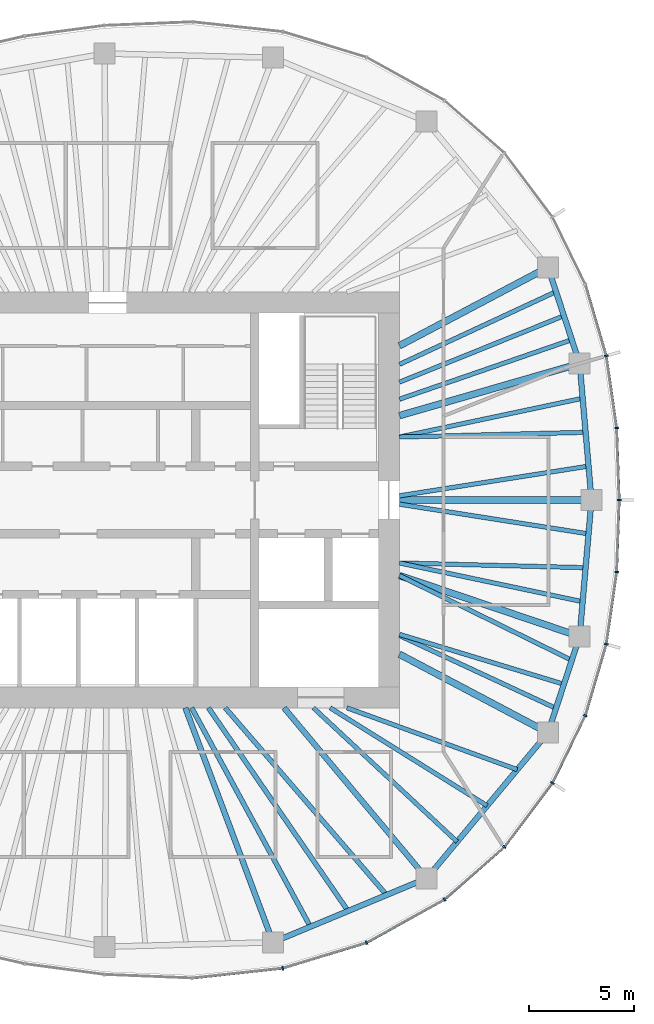
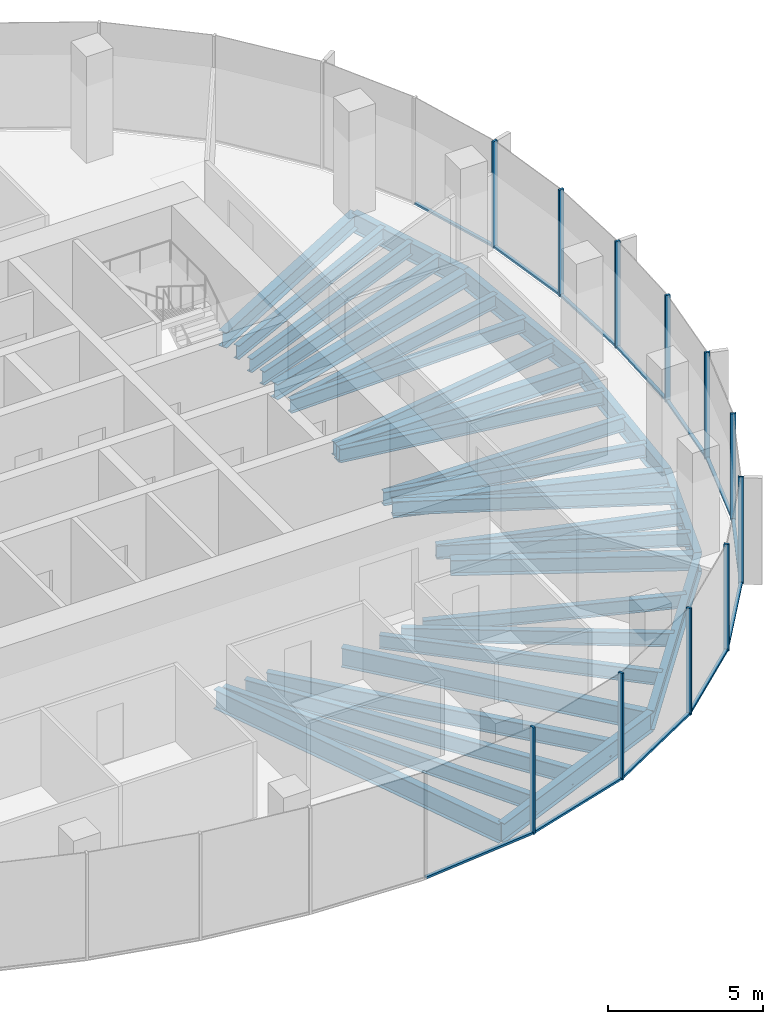
# One storey, part 4 of 11: 31 beams, 23 members, 7 elements without a shape of their own.
"""IFC4 building model written with IfcOpenShell, lengths in metres."""

from ifc_helpers import new_model, si_unit, direction, frame, origin, origin_2d, place, context, subcontext, project, spatial, rectangle, i_section, extrude, material, material_profile, profile_set, type_object, element, aggregate, save


model = new_model("IFC4")

# Units and contexts
model_context = context("Model", 3, precision=1e-05, world=origin(), true_north=direction((0.0, 1.0)))
body_context = subcontext(model_context, "Body", "Model", "MODEL_VIEW")
ifc_project = project(units=[si_unit("LENGTHUNIT", "METRE"), si_unit("AREAUNIT", "SQUARE_METRE"), si_unit("VOLUMEUNIT", "CUBIC_METRE"), si_unit("PLANEANGLEUNIT", "RADIAN"), si_unit("MASSUNIT", "GRAM", prefix="KILO")], contexts=[model_context])

# Site, building, storey
site_placement = place(None, origin())
site = spatial("IfcSite", under=ifc_project, at=site_placement, CompositionType="ELEMENT")
building_placement = place(site_placement, origin())
building = spatial("IfcBuilding", under=site, at=building_placement, Name="Ghaith Harvest Tower", CompositionType="ELEMENT")
storey_placement = place(building_placement, frame((0.0, 0.0, 330.0)))
storey = spatial("IfcBuildingStorey", under=building, at=storey_placement, Name="L74", CompositionType="ELEMENT", Elevation=330.0)

# Curtain wall, members
ifc_material_1 = material(Name="Black anodised aluminium and fritted glass", Category="aluminium")
curtain_wall_type = type_object("IfcCurtainWallType", Name="CW-T CURTAIN WALL", PredefinedType="NOTDEFINED", material=ifc_material_1)
curtain_wall_1_placement = place(storey_placement, origin())
curtain_wall_1 = element("IfcCurtainWall", 1, at=curtain_wall_1_placement, inside=storey, type_object=curtain_wall_type, Name="Curtain wall CW-T bay 01 L74", PredefinedType="NOTDEFINED")
ifc_material_2 = material(Name="Aluminium, black anodised", Category="aluminium")
ifc_material_profile_1 = material_profile(ifc_material_2, rectangle(XDim=0.080078125, YDim=0.179931640625, at=origin_2d()), Name="CW-T MULLION 80x180")
ifc_profile_set_1 = profile_set([ifc_material_profile_1], Name="Aluminium, black anodised")
member_type_1 = type_object("IfcMemberType", Name="CW-T MULLION 80x180", PredefinedType="MULLION", material=ifc_profile_set_1)
member_1_placement = place(storey_placement, frame((24.3701171875, 0.0, 0.0), z_axis=(0.0, 0.0, 1.0), x_axis=(5.2e-11, 1.0, 0.0)))
member_1 = element("IfcMember", 2, at=member_1_placement, type_object=member_type_1, Name="CW-T mullion 1 bay 01 L74", PredefinedType="MULLION", context=body_context, shape_type="SweptSolid", body=[
    extrude(rectangle(XDim=0.080078125, YDim=0.179931640625, at=origin_2d()), origin(), (0.0, 0.0, 1.0), 4.199951171875),
])
member_2_placement = place(storey_placement, frame((24.247802734375, 3.433837890625, 0.0), z_axis=(0.0, 0.0, 1.0), x_axis=(-0.089502202236, 0.995986624305, 0.0)))
member_2 = element("IfcMember", 3, at=member_2_placement, type_object=member_type_1, Name="CW-T mullion 2 bay 01 L74", PredefinedType="MULLION", context=body_context, shape_type="SweptSolid", body=[
    extrude(rectangle(XDim=0.080078125, YDim=0.179931640625, at=origin_2d()), origin(), (0.0, 0.0, 1.0), 4.199951171875),
])

# Curtain wall, member
curtain_wall_2_placement = place(storey_placement, origin())
curtain_wall_2 = element("IfcCurtainWall", 4, at=curtain_wall_2_placement, inside=storey, type_object=curtain_wall_type, Name="Curtain wall CW-T bay 02 L74", PredefinedType="NOTDEFINED")
member_3_placement = place(storey_placement, frame((23.753173828125, 6.865234375, 0.0), z_axis=(0.0, 0.0, 1.0), x_axis=(-0.21340203233, 0.976964468442, 0.0)))
member_3 = element("IfcMember", 5, at=member_3_placement, type_object=member_type_1, Name="CW-T mullion 1 bay 02 L74", PredefinedType="MULLION", context=body_context, shape_type="SweptSolid", body=[
    extrude(rectangle(XDim=0.080078125, YDim=0.179931640625, at=origin_2d()), origin(), (0.0, 0.0, 1.0), 4.199951171875),
])

# Curtain wall, members
curtain_wall_3_placement = place(storey_placement, origin())
curtain_wall_3 = element("IfcCurtainWall", 6, at=curtain_wall_3_placement, inside=storey, type_object=curtain_wall_type, Name="Curtain wall CW-T bay 17 L74", PredefinedType="NOTDEFINED")
member_4_placement = place(storey_placement, frame((8.33984375, -22.308837890625, 0.0), z_axis=(0.0, 0.0, 1.0), x_axis=(0.980000193265, 0.198996535647, 0.0)))
member_4 = element("IfcMember", 7, at=member_4_placement, type_object=member_type_1, Name="CW-T mullion 1 bay 17 L74", PredefinedType="MULLION", context=body_context, shape_type="SweptSolid", body=[
    extrude(rectangle(XDim=0.080078125, YDim=0.179931640625, at=origin_2d()), origin(), (0.0, 0.0, 1.0), 4.199951171875),
])
member_5_placement = place(storey_placement, frame((12.334228515625, -21.091796875, 0.0), z_axis=(0.0, 0.0, 1.0), x_axis=(0.920319269335, 0.391168048914, 0.0)))
member_5 = element("IfcMember", 8, at=member_5_placement, type_object=member_type_1, Name="CW-T mullion 2 bay 17 L74", PredefinedType="MULLION", context=body_context, shape_type="SweptSolid", body=[
    extrude(rectangle(XDim=0.080078125, YDim=0.179931640625, at=origin_2d()), origin(), (0.0, 0.0, 1.0), 4.199951171875),
])

curtain_wall_4_placement = place(storey_placement, origin())
curtain_wall_4 = element("IfcCurtainWall", 9, at=curtain_wall_4_placement, inside=storey, type_object=curtain_wall_type, Name="Curtain wall CW-T bay 18 L74", PredefinedType="NOTDEFINED")
member_6_placement = place(storey_placement, frame((16.04931640625, -19.031982421875, 0.0), z_axis=(0.0, 0.0, 1.0), x_axis=(0.821112053644, 0.570767023715, 0.0)))
member_6 = element("IfcMember", 10, at=member_6_placement, type_object=member_type_1, Name="CW-T mullion 1 bay 18 L74", PredefinedType="MULLION", context=body_context, shape_type="SweptSolid", body=[
    extrude(rectangle(XDim=0.080078125, YDim=0.179931640625, at=origin_2d()), origin(), (0.0, 0.0, 1.0), 4.199951171875),
])
member_7_placement = place(storey_placement, frame((18.901123046875, -16.527099609375, 0.0), z_axis=(0.0, 0.0, 1.0), x_axis=(0.679660897254, 0.733526458108, 0.0)))
member_7 = element("IfcMember", 11, at=member_7_placement, type_object=member_type_1, Name="CW-T mullion 2 bay 18 L74", PredefinedType="MULLION", context=body_context, shape_type="SweptSolid", body=[
    extrude(rectangle(XDim=0.080078125, YDim=0.179931640625, at=origin_2d()), origin(), (0.0, 0.0, 1.0), 4.199951171875),
])

curtain_wall_5_placement = place(storey_placement, origin())
curtain_wall_5 = element("IfcCurtainWall", 12, at=curtain_wall_5_placement, inside=storey, type_object=curtain_wall_type, Name="Curtain wall CW-T bay 19 L74", PredefinedType="NOTDEFINED")
member_8_placement = place(storey_placement, frame((21.18896484375, -13.48486328125, 0.0), z_axis=(0.0, 0.0, 1.0), x_axis=(0.524482238715, 0.85142138878, 0.0)))
member_8 = element("IfcMember", 13, at=member_8_placement, type_object=member_type_1, Name="CW-T mullion 1 bay 19 L74", PredefinedType="MULLION", context=body_context, shape_type="SweptSolid", body=[
    extrude(rectangle(XDim=0.080078125, YDim=0.179931640625, at=origin_2d()), origin(), (0.0, 0.0, 1.0), 4.199951171875),
])
member_9_placement = place(storey_placement, frame((22.754150390625, -10.272216796875, 0.0), z_axis=(0.0, 0.0, 1.0), x_axis=(0.361184273904, 0.932494461262, 0.0)))
member_9 = element("IfcMember", 14, at=member_9_placement, type_object=member_type_1, Name="CW-T mullion 2 bay 19 L74", PredefinedType="MULLION", context=body_context, shape_type="SweptSolid", body=[
    extrude(rectangle(XDim=0.080078125, YDim=0.179931640625, at=origin_2d()), origin(), (0.0, 0.0, 1.0), 4.199951171875),
])

curtain_wall_6_placement = place(storey_placement, origin())
curtain_wall_6 = element("IfcCurtainWall", 15, at=curtain_wall_6_placement, inside=storey, type_object=curtain_wall_type, Name="Curtain wall CW-T bay 20 L74", PredefinedType="NOTDEFINED")
member_10_placement = place(storey_placement, frame((23.753173828125, -6.865234375, 0.0), z_axis=(0.0, 0.0, 1.0), x_axis=(0.213402032501, 0.976964468404, 0.0)))
member_10 = element("IfcMember", 16, at=member_10_placement, type_object=member_type_1, Name="CW-T mullion 1 bay 20 L74", PredefinedType="MULLION", context=body_context, shape_type="SweptSolid", body=[
    extrude(rectangle(XDim=0.080078125, YDim=0.179931640625, at=origin_2d()), origin(), (0.0, 0.0, 1.0), 4.199951171875),
])
member_11_placement = place(storey_placement, frame((24.247802734375, -3.433837890625, 0.0), z_axis=(0.0, 0.0, 1.0), x_axis=(0.089502202305, 0.995986624299, 0.0)))
member_11 = element("IfcMember", 17, at=member_11_placement, type_object=member_type_1, Name="CW-T mullion 2 bay 20 L74", PredefinedType="MULLION", context=body_context, shape_type="SweptSolid", body=[
    extrude(rectangle(XDim=0.080078125, YDim=0.179931640625, at=origin_2d()), origin(), (0.0, 0.0, 1.0), 4.199951171875),
])

# Member
ifc_material_3 = material(Name="Aluminium, black anodised", Category="aluminium")
ifc_material_profile_2 = material_profile(ifc_material_3, rectangle(XDim=0.1201171875, YDim=0.080078125, at=origin_2d()), Name="CW-T TRANSOM 120x80")
ifc_profile_set_2 = profile_set([ifc_material_profile_2], Name="Aluminium, black anodised")
member_type_2 = type_object("IfcMemberType", Name="CW-T TRANSOM 120x80", PredefinedType="USERDEFINED", material=ifc_profile_set_2)
member_12_placement = place(storey_placement, frame((24.36865234375, 0.0400390625, 0.0400390625), z_axis=(-0.035574759537, 0.999367017909, 0.0), x_axis=(-0.999367017909, -0.035574759537, 0.0)))
member_12 = element("IfcMember", 18, at=member_12_placement, type_object=member_type_2, Name="CW-T transom 1 bay 01 L74", ObjectType="TRANSOM", PredefinedType="USERDEFINED", context=body_context, shape_type="SweptSolid", body=[
    extrude(rectangle(XDim=0.1201171875, YDim=0.080078125, at=origin_2d()), origin(), (0.0, 0.0, 1.0), 3.35595703125),
])

member_13_placement = place(storey_placement, frame((24.2421875, 3.473388671875, 0.0400390625), z_axis=(-0.142733224301, 0.989761196795, 0.0), x_axis=(-0.989761196795, -0.142733224301, 0.0)))
member_13 = element("IfcMember", 19, at=member_13_placement, type_object=member_type_2, Name="CW-T transom 2 bay 01 L74", ObjectType="TRANSOM", PredefinedType="USERDEFINED", context=body_context, shape_type="SweptSolid", body=[
    extrude(rectangle(XDim=0.1201171875, YDim=0.080078125, at=origin_2d()), origin(), (0.0, 0.0, 1.0), 3.38671875),
])

aggregate(curtain_wall_1, [member_1, member_12, member_2, member_13])

member_14_placement = place(storey_placement, frame((23.741943359375, 6.903564453125, 0.0400390625), z_axis=(-0.281385475469, 0.95959481772, 0.0), x_axis=(-0.95959481772, -0.281385475469, 0.0)))
member_14 = element("IfcMember", 20, at=member_14_placement, type_object=member_type_2, Name="CW-T transom 1 bay 02 L74", ObjectType="TRANSOM", PredefinedType="USERDEFINED", context=body_context, shape_type="SweptSolid", body=[
    extrude(rectangle(XDim=0.1201171875, YDim=0.080078125, at=origin_2d()), origin(), (0.0, 0.0, 1.0), 3.470458984375),
])

aggregate(curtain_wall_2, [member_3, member_14])

# Curtain wall, member
curtain_wall_7_placement = place(storey_placement, origin())
curtain_wall_7 = element("IfcCurtainWall", 21, at=curtain_wall_7_placement, inside=storey, type_object=curtain_wall_type, Name="Curtain wall CW-T bay 16 L74", PredefinedType="NOTDEFINED")
member_15_placement = place(storey_placement, frame((4.077392578125, -22.772216796875, 0.0400390625), z_axis=(0.994144463069, 0.108059180768, 0.0), x_axis=(-0.108059180768, 0.994144463069, 0.0)))
member_15 = element("IfcMember", 22, at=member_15_placement, type_object=member_type_2, Name="CW-T transom 2 bay 16 L74", ObjectType="TRANSOM", PredefinedType="USERDEFINED", context=body_context, shape_type="SweptSolid", body=[
    extrude(rectangle(XDim=0.1201171875, YDim=0.080078125, at=origin_2d()), origin(), (0.0, 0.0, 1.0), 4.24755859375),
])
aggregate(curtain_wall_7, [member_15])

# Member
member_16_placement = place(storey_placement, frame((8.378173828125, -22.297119140625, 0.0400390625), z_axis=(0.956593713342, 0.291424891858, 0.0), x_axis=(-0.291424891858, 0.956593713342, 0.0)))
member_16 = element("IfcMember", 23, at=member_16_placement, type_object=member_type_2, Name="CW-T transom 1 bay 17 L74", ObjectType="TRANSOM", PredefinedType="USERDEFINED", context=body_context, shape_type="SweptSolid", body=[
    extrude(rectangle(XDim=0.1201171875, YDim=0.080078125, at=origin_2d()), origin(), (0.0, 0.0, 1.0), 4.095703125),
])

member_17_placement = place(storey_placement, frame((12.369384765625, -21.072509765625, 0.0400390625), z_axis=(0.874552130553, 0.484931511603, 0.0), x_axis=(-0.484931511603, 0.874552130553, 0.0)))
member_17 = element("IfcMember", 24, at=member_17_placement, type_object=member_type_2, Name="CW-T transom 2 bay 17 L74", ObjectType="TRANSOM", PredefinedType="USERDEFINED", context=body_context, shape_type="SweptSolid", body=[
    extrude(rectangle(XDim=0.1201171875, YDim=0.080078125, at=origin_2d()), origin(), (0.0, 0.0, 1.0), 4.16748046875),
])

aggregate(curtain_wall_3, [member_4, member_16, member_5, member_17])

member_18_placement = place(storey_placement, frame((16.079345703125, -19.005615234375, 0.0400390625), z_axis=(0.751325799984, 0.659931467865, 0.0), x_axis=(-0.659931467865, 0.751325799984, 0.0)))
member_18 = element("IfcMember", 25, at=member_18_placement, type_object=member_type_2, Name="CW-T transom 1 bay 18 L74", ObjectType="TRANSOM", PredefinedType="USERDEFINED", context=body_context, shape_type="SweptSolid", body=[
    extrude(rectangle(XDim=0.1201171875, YDim=0.080078125, at=origin_2d()), origin(), (0.0, 0.0, 1.0), 3.7158203125),
])

member_19_placement = place(storey_placement, frame((18.925048828125, -16.4951171875, 0.0400390625), z_axis=(0.601079103045, 0.799189534392, 0.0), x_axis=(-0.799189534392, 0.601079103045, 0.0)))
member_19 = element("IfcMember", 26, at=member_19_placement, type_object=member_type_2, Name="CW-T transom 2 bay 18 L74", ObjectType="TRANSOM", PredefinedType="USERDEFINED", context=body_context, shape_type="SweptSolid", body=[
    extrude(rectangle(XDim=0.1201171875, YDim=0.080078125, at=origin_2d()), origin(), (0.0, 0.0, 1.0), 3.7265625),
])

aggregate(curtain_wall_4, [member_6, member_18, member_7, member_19])

member_20_placement = place(storey_placement, frame((21.20654296875, -13.448974609375, 0.0400390625), z_axis=(0.437965078712, 0.898991985408, 0.0), x_axis=(-0.898991985408, 0.437965078712, 0.0)))
member_20 = element("IfcMember", 27, at=member_20_placement, type_object=member_type_2, Name="CW-T transom 1 bay 19 L74", ObjectType="TRANSOM", PredefinedType="USERDEFINED", context=body_context, shape_type="SweptSolid", body=[
    extrude(rectangle(XDim=0.1201171875, YDim=0.080078125, at=origin_2d()), origin(), (0.0, 0.0, 1.0), 3.493408203125),
])

member_21_placement = place(storey_placement, frame((22.765380859375, -10.23388671875, 0.0400390625), z_axis=(0.281385475469, 0.95959481772, 0.0), x_axis=(-0.95959481772, 0.281385475469, 0.0)))
member_21 = element("IfcMember", 28, at=member_21_placement, type_object=member_type_2, Name="CW-T transom 2 bay 19 L74", ObjectType="TRANSOM", PredefinedType="USERDEFINED", context=body_context, shape_type="SweptSolid", body=[
    extrude(rectangle(XDim=0.1201171875, YDim=0.080078125, at=origin_2d()), origin(), (0.0, 0.0, 1.0), 3.470458984375),
])

aggregate(curtain_wall_5, [member_8, member_20, member_9, member_21])

member_22_placement = place(storey_placement, frame((23.7587890625, -6.825439453125, 0.0400390625), z_axis=(0.142733224301, 0.989761196795, 0.0), x_axis=(-0.989761196795, 0.142733224301, 0.0)))
member_22 = element("IfcMember", 29, at=member_22_placement, type_object=member_type_2, Name="CW-T transom 1 bay 20 L74", ObjectType="TRANSOM", PredefinedType="USERDEFINED", context=body_context, shape_type="SweptSolid", body=[
    extrude(rectangle(XDim=0.1201171875, YDim=0.080078125, at=origin_2d()), origin(), (0.0, 0.0, 1.0), 3.38671875),
])

member_23_placement = place(storey_placement, frame((24.249267578125, -3.393798828125, 0.0400390625), z_axis=(0.035574759537, 0.999367017909, 0.0), x_axis=(-0.999367017909, 0.035574759537, 0.0)))
member_23 = element("IfcMember", 30, at=member_23_placement, type_object=member_type_2, Name="CW-T transom 2 bay 20 L74", ObjectType="TRANSOM", PredefinedType="USERDEFINED", context=body_context, shape_type="SweptSolid", body=[
    extrude(rectangle(XDim=0.1201171875, YDim=0.080078125, at=origin_2d()), origin(), (0.0, 0.0, 1.0), 3.35595703125),
])

aggregate(curtain_wall_6, [member_10, member_22, member_11, member_23])

# Beams
ifc_material_4 = material(Name="Steel ASTM A992 Grade 50", Category="steel")
ifc_material_profile_3 = material_profile(ifc_material_4, i_section(OverallWidth=0.26611328125, OverallDepth=0.758056640625, WebThickness=0.013916015625, FlangeThickness=0.019287109375, at=origin_2d()), Name="W760X161")
ifc_profile_set_3 = profile_set([ifc_material_profile_3], Name="Steel ASTM A992 Grade 50")
beam_type_1 = type_object("IfcBeamType", Name="E760-161 W760X161", PredefinedType="SPANDREL", material=ifc_profile_set_3)
beam_1_placement = place(storey_placement, frame((23.050048828125, 0.0, -0.549072265625), z_axis=(-0.086600547306, 0.996243115513, 0.0), x_axis=(-0.996243115513, -0.086600547306, 0.0)))
element("IfcBeam", 31, at=beam_1_placement, inside=storey, type_object=beam_type_1, Name="Edge beam E01 L74", PredefinedType="SPANDREL", context=body_context, shape_type="SweptSolid", body=[
    extrude(i_section(OverallWidth=0.26611328125, OverallDepth=0.758056640625, WebThickness=0.013916015625, FlangeThickness=0.019287109375, at=origin_2d()), origin(), (0.0, 0.0, 1.0), 6.5234375),
])
beam_2_placement = place(storey_placement, frame((22.485107421875, 6.4990234375, -0.549072265625), z_axis=(-0.312206727278, 0.950014189074, 0.0), x_axis=(-0.950014189074, -0.312206727278, 0.0)))
element("IfcBeam", 32, at=beam_2_placement, inside=storey, type_object=beam_type_1, Name="Edge beam E02 L74", PredefinedType="SPANDREL", context=body_context, shape_type="SweptSolid", body=[
    extrude(i_section(OverallWidth=0.26611328125, OverallDepth=0.758056640625, WebThickness=0.013916015625, FlangeThickness=0.019287109375, at=origin_2d()), origin(), (0.0, 0.0, 1.0), 4.830322265625),
])
beam_3_placement = place(storey_placement, frame((7.8779296875, -21.072021484375, -0.549072265625), z_axis=(0.923119729219, 0.384512633766, 0.0), x_axis=(-0.384512633766, 0.923119729219, 0.0)))
element("IfcBeam", 33, at=beam_3_placement, inside=storey, type_object=beam_type_1, Name="Edge beam E17 L74", PredefinedType="SPANDREL", context=body_context, shape_type="SweptSolid", body=[
    extrude(i_section(OverallWidth=0.26611328125, OverallDepth=0.758056640625, WebThickness=0.013916015625, FlangeThickness=0.019287109375, at=origin_2d()), origin(), (0.0, 0.0, 1.0), 7.9296875),
])
beam_4_placement = place(storey_placement, frame((15.197998046875, -18.02294921875, -0.549072265625), z_axis=(0.640173759088, 0.76823014662, 0.0), x_axis=(-0.76823014662, 0.640173759088, 0.0)))
element("IfcBeam", 34, at=beam_4_placement, inside=storey, type_object=beam_type_1, Name="Edge beam E18 L74", PredefinedType="SPANDREL", context=body_context, shape_type="SweptSolid", body=[
    extrude(i_section(OverallWidth=0.26611328125, OverallDepth=0.758056640625, WebThickness=0.013916015625, FlangeThickness=0.019287109375, at=origin_2d()), origin(), (0.0, 0.0, 1.0), 9.02734375),
])
beam_5_placement = place(storey_placement, frame((20.97705078125, -11.087890625, -0.549072265625), z_axis=(0.312206727278, 0.950014189074, 0.0), x_axis=(-0.950014189074, 0.312206727278, 0.0)))
element("IfcBeam", 35, at=beam_5_placement, inside=storey, type_object=beam_type_1, Name="Edge beam E19 L74", PredefinedType="SPANDREL", context=body_context, shape_type="SweptSolid", body=[
    extrude(i_section(OverallWidth=0.26611328125, OverallDepth=0.758056640625, WebThickness=0.013916015625, FlangeThickness=0.019287109375, at=origin_2d()), origin(), (0.0, 0.0, 1.0), 4.830322265625),
])
beam_6_placement = place(storey_placement, frame((22.485107421875, -6.4990234375, -0.549072265625), z_axis=(0.086600547306, 0.996243115513, 0.0), x_axis=(-0.996243115513, 0.086600547306, 0.0)))
element("IfcBeam", 36, at=beam_6_placement, inside=storey, type_object=beam_type_1, Name="Edge beam E20 L74", PredefinedType="SPANDREL", context=body_context, shape_type="SweptSolid", body=[
    extrude(i_section(OverallWidth=0.26611328125, OverallDepth=0.758056640625, WebThickness=0.013916015625, FlangeThickness=0.019287109375, at=origin_2d()), origin(), (0.0, 0.0, 1.0), 6.5234375),
])
ifc_material_5 = material(Name="Steel ASTM A992 Grade 50", Category="steel")
ifc_material_profile_4 = material_profile(ifc_material_5, i_section(OverallWidth=0.323974609375, OverallDepth=0.611083984375, WebThickness=0.0126953125, FlangeThickness=0.01904296875, at=origin_2d()), Name="W610X155")
ifc_profile_set_4 = profile_set([ifc_material_profile_4], Name="Steel ASTM A992 Grade 50")
beam_type_2 = type_object("IfcBeamType", Name="G610-155 W610X155", PredefinedType="BEAM", material=ifc_profile_set_4)
beam_7_placement = place(storey_placement, frame((13.89990234375, 0.0, -0.4755859375), z_axis=(1.0, 0.0, 0.0), x_axis=(0.0, 1.0, 0.0)))
element("IfcBeam", 37, at=beam_7_placement, inside=storey, type_object=beam_type_2, Name="Radial girder G01 L74", PredefinedType="BEAM", context=body_context, shape_type="SweptSolid", body=[
    extrude(i_section(OverallWidth=0.323974609375, OverallDepth=0.611083984375, WebThickness=0.0126953125, FlangeThickness=0.01904296875, at=origin_2d()), origin(), (0.0, 0.0, 1.0), 9.150146484375),
])
beam_8_placement = place(storey_placement, frame((13.89990234375, 4.017333984375, -0.4755859375), z_axis=(0.960668846071, 0.27769653975, 0.0), x_axis=(-0.27769653975, 0.960668846071, 0.0)))
element("IfcBeam", 38, at=beam_8_placement, inside=storey, type_object=beam_type_2, Name="Radial girder G02 L74", PredefinedType="BEAM", context=body_context, shape_type="SweptSolid", body=[
    extrude(i_section(OverallWidth=0.323974609375, OverallDepth=0.611083984375, WebThickness=0.0126953125, FlangeThickness=0.01904296875, at=origin_2d()), origin(), (0.0, 0.0, 1.0), 8.936767578125),
])
for number, where, z_axis, x_axis, name in (
    (39, (13.89990234375, 7.34716796875, -0.4755859375), (0.884097820364, 0.467301876764, 0.0), (-0.467301876764, 0.884097820364, 0.0), "Radial girder G03 L74"),
    (40, (13.89990234375, -7.34716796875, -0.4755859375), (0.884097820364, -0.467301876764, 0.0), (0.467301876764, 0.884097820364, 0.0), "Radial girder G19 L74"),
):
    element("IfcBeam", number, at=place(storey_placement, frame(where, z_axis=z_axis, x_axis=x_axis)), inside=storey, type_object=beam_type_2, Name=name, PredefinedType="BEAM", context=body_context, shape_type="SweptSolid", body=[
        extrude(i_section(OverallWidth=0.323974609375, OverallDepth=0.611083984375, WebThickness=0.0126953125, FlangeThickness=0.01904296875, at=origin_2d()), origin(), (0.0, 0.0, 1.0), 8.0048828125),
    ])
beam_9_placement = place(storey_placement, frame((13.89990234375, -3.60009765625, -0.4755859375), z_axis=(0.947444819082, -0.319919231673, 0.0), x_axis=(0.319919231673, 0.947444819082, 0.0)))
element("IfcBeam", 41, at=beam_9_placement, inside=storey, type_object=beam_type_2, Name="Radial girder G20 L74", PredefinedType="BEAM", context=body_context, shape_type="SweptSolid", body=[
    extrude(i_section(OverallWidth=0.323974609375, OverallDepth=0.611083984375, WebThickness=0.0126953125, FlangeThickness=0.01904296875, at=origin_2d()), origin(), (0.0, 0.0, 1.0), 9.0615234375),
])
ifc_material_6 = material(Name="Steel ASTM A992 Grade 50", Category="steel")
ifc_material_profile_5 = material_profile(ifc_material_6, i_section(OverallWidth=0.26611328125, OverallDepth=0.758056640625, WebThickness=0.013916015625, FlangeThickness=0.019287109375, at=origin_2d()), Name="W760X161")
ifc_profile_set_5 = profile_set([ifc_material_profile_5], Name="Steel ASTM A992 Grade 50")
beam_type_3 = type_object("IfcBeamType", Name="G760-161 W760X161", PredefinedType="BEAM", material=ifc_profile_set_5)
beam_10_placement = place(storey_placement, frame((3.700927734375, -9.89990234375, -0.549072265625), z_axis=(0.350201332531, -0.936674450753, 0.0), x_axis=(0.936674450753, 0.350201332531, 0.0)))
element("IfcBeam", 42, at=beam_10_placement, inside=storey, type_object=beam_type_3, Name="Radial girder G17 L74", PredefinedType="BEAM", context=body_context, shape_type="SweptSolid", body=[
    extrude(i_section(OverallWidth=0.26611328125, OverallDepth=0.758056640625, WebThickness=0.013916015625, FlangeThickness=0.019287109375, at=origin_2d()), origin(), (0.0, 0.0, 1.0), 11.927490234375),
])
beam_11_placement = place(storey_placement, frame((8.39990234375, -9.89990234375, -0.549072265625), z_axis=(0.641792628883, -0.766878231215, 0.0), x_axis=(0.766878231215, 0.641792628883, 0.0)))
element("IfcBeam", 43, at=beam_11_placement, inside=storey, type_object=beam_type_3, Name="Radial girder G18 L74", PredefinedType="BEAM", context=body_context, shape_type="SweptSolid", body=[
    extrude(i_section(OverallWidth=0.26611328125, OverallDepth=0.758056640625, WebThickness=0.013916015625, FlangeThickness=0.019287109375, at=origin_2d()), origin(), (0.0, 0.0, 1.0), 10.59228515625),
])
ifc_material_7 = material(Name="Steel ASTM A992 Grade 50", Category="steel")
ifc_material_profile_6 = material_profile(ifc_material_7, i_section(OverallWidth=0.2109375, OverallDepth=0.5390625, WebThickness=0.01171875, FlangeThickness=0.018798828125, at=origin_2d()), Name="W530X109")
ifc_profile_set_6 = profile_set([ifc_material_profile_6], Name="Steel ASTM A992 Grade 50")
beam_type_4 = type_object("IfcBeamType", Name="J530-109 W530X109", PredefinedType="JOIST", material=ifc_profile_set_6)
beam_12_placement = place(storey_placement, frame((13.89990234375, 0.199951171875, -0.439453125), z_axis=(0.987906665526, 0.155049734628, 0.0), x_axis=(-0.155049734628, 0.987906665526, 0.0)))
element("IfcBeam", 44, at=beam_12_placement, inside=storey, type_object=beam_type_4, Name="Joist J01.1 L74", PredefinedType="JOIST", context=body_context, shape_type="SweptSolid", body=[
    extrude(i_section(OverallWidth=0.2109375, OverallDepth=0.5390625, WebThickness=0.01171875, FlangeThickness=0.018798828125, at=origin_2d()), origin(), (0.0, 0.0, 1.0), 9.1201171875),
])
beam_13_placement = place(storey_placement, frame((13.89990234375, 3.0, -0.439453125), z_axis=(0.999679533859, 0.025314612071, 0.0), x_axis=(-0.025314612071, 0.999679533859, 0.0)))
element("IfcBeam", 45, at=beam_13_placement, inside=storey, type_object=beam_type_4, Name="Joist J01.2 L74", PredefinedType="JOIST", context=body_context, shape_type="SweptSolid", body=[
    extrude(i_section(OverallWidth=0.2109375, OverallDepth=0.5390625, WebThickness=0.01171875, FlangeThickness=0.018798828125, at=origin_2d()), origin(), (0.0, 0.0, 1.0), 8.872802734375),
])
beam_14_placement = place(storey_placement, frame((13.89990234375, 3.0, -0.439453125), z_axis=(0.97833382446, 0.207033639579, 0.0), x_axis=(-0.207033639579, 0.97833382446, 0.0)))
element("IfcBeam", 46, at=beam_14_placement, inside=storey, type_object=beam_type_4, Name="Joist J01.3 L74", PredefinedType="JOIST", context=body_context, shape_type="SweptSolid", body=[
    extrude(i_section(OverallWidth=0.2109375, OverallDepth=0.5390625, WebThickness=0.01171875, FlangeThickness=0.018798828125, at=origin_2d()), origin(), (0.0, 0.0, 1.0), 8.922119140625),
])
beam_15_placement = place(storey_placement, frame((13.89990234375, 4.801025390625, -0.439453125), z_axis=(0.945204712775, 0.326478254937, 0.0), x_axis=(-0.326478254937, 0.945204712775, 0.0)))
element("IfcBeam", 47, at=beam_15_placement, inside=storey, type_object=beam_type_4, Name="Joist J02.1 L74", PredefinedType="JOIST", context=body_context, shape_type="SweptSolid", body=[
    extrude(i_section(OverallWidth=0.2109375, OverallDepth=0.5390625, WebThickness=0.01171875, FlangeThickness=0.018798828125, at=origin_2d()), origin(), (0.0, 0.0, 1.0), 8.687255859375),
])
beam_16_placement = place(storey_placement, frame((13.89990234375, 5.61328125, -0.439453125), z_axis=(0.927254375113, 0.374432001615, 0.0), x_axis=(-0.374432001615, 0.927254375113, 0.0)))
element("IfcBeam", 48, at=beam_16_placement, inside=storey, type_object=beam_type_4, Name="Joist J02.2 L74", PredefinedType="JOIST", context=body_context, shape_type="SweptSolid", body=[
    extrude(i_section(OverallWidth=0.2109375, OverallDepth=0.5390625, WebThickness=0.01171875, FlangeThickness=0.018798828125, at=origin_2d()), origin(), (0.0, 0.0, 1.0), 8.450927734375),
])
beam_17_placement = place(storey_placement, frame((13.89990234375, 6.45947265625, -0.439453125), z_axis=(0.906859906661, 0.42143221245, 0.0), x_axis=(-0.42143221245, 0.906859906661, 0.0)))
element("IfcBeam", 49, at=beam_17_placement, inside=storey, type_object=beam_type_4, Name="Joist J02.3 L74", PredefinedType="JOIST", context=body_context, shape_type="SweptSolid", body=[
    extrude(i_section(OverallWidth=0.2109375, OverallDepth=0.5390625, WebThickness=0.01171875, FlangeThickness=0.018798828125, at=origin_2d()), origin(), (0.0, 0.0, 1.0), 8.22509765625),
])
beam_18_placement = place(storey_placement, frame((9.800048828125, -9.89990234375, -0.439453125), z_axis=(0.73164904944, -0.681681500742, 0.0), x_axis=(0.681681500742, 0.73164904944, 0.0)))
element("IfcBeam", 50, at=beam_18_placement, inside=storey, type_object=beam_type_4, Name="Joist J18.1 L74", PredefinedType="JOIST", context=body_context, shape_type="SweptSolid", body=[
    extrude(i_section(OverallWidth=0.2109375, OverallDepth=0.5390625, WebThickness=0.01171875, FlangeThickness=0.018798828125, at=origin_2d()), origin(), (0.0, 0.0, 1.0), 9.361572265625),
])
beam_19_placement = place(storey_placement, frame((10.60009765625, -9.89990234375, -0.439453125), z_axis=(0.84837619421, -0.52939383553, 0.0), x_axis=(0.52939383553, 0.84837619421, 0.0)))
element("IfcBeam", 51, at=beam_19_placement, inside=storey, type_object=beam_type_4, Name="Joist J18.2 L74", PredefinedType="JOIST", context=body_context, shape_type="SweptSolid", body=[
    extrude(i_section(OverallWidth=0.2109375, OverallDepth=0.5390625, WebThickness=0.01171875, FlangeThickness=0.018798828125, at=origin_2d()), origin(), (0.0, 0.0, 1.0), 8.814697265625),
])
beam_20_placement = place(storey_placement, frame((11.39990234375, -9.89990234375, -0.439453125), z_axis=(0.939925501564, -0.341379629605, 0.0), x_axis=(0.341379629605, 0.939925501564, 0.0)))
element("IfcBeam", 52, at=beam_20_placement, inside=storey, type_object=beam_type_4, Name="Joist J18.3 L74", PredefinedType="JOIST", context=body_context, shape_type="SweptSolid", body=[
    extrude(i_section(OverallWidth=0.2109375, OverallDepth=0.5390625, WebThickness=0.01171875, FlangeThickness=0.018798828125, at=origin_2d()), origin(), (0.0, 0.0, 1.0), 8.630615234375),
])
beam_21_placement = place(storey_placement, frame((13.89990234375, -6.45947265625, -0.439453125), z_axis=(0.906859906661, -0.42143221245, 0.0), x_axis=(0.42143221245, 0.906859906661, 0.0)))
element("IfcBeam", 53, at=beam_21_placement, inside=storey, type_object=beam_type_4, Name="Joist J19.1 L74", PredefinedType="JOIST", context=body_context, shape_type="SweptSolid", body=[
    extrude(i_section(OverallWidth=0.2109375, OverallDepth=0.5390625, WebThickness=0.01171875, FlangeThickness=0.018798828125, at=origin_2d()), origin(), (0.0, 0.0, 1.0), 8.22509765625),
])
beam_22_placement = place(storey_placement, frame((13.89990234375, -6.39990234375, -0.439453125), z_axis=(0.9569197823, -0.290352424208, 0.0), x_axis=(0.290352424208, 0.9569197823, 0.0)))
element("IfcBeam", 54, at=beam_22_placement, inside=storey, type_object=beam_type_4, Name="Joist J19.2 L74", PredefinedType="JOIST", context=body_context, shape_type="SweptSolid", body=[
    extrude(i_section(OverallWidth=0.2109375, OverallDepth=0.5390625, WebThickness=0.01171875, FlangeThickness=0.018798828125, at=origin_2d()), origin(), (0.0, 0.0, 1.0), 8.18896484375),
])
beam_23_placement = place(storey_placement, frame((13.89990234375, -3.60009765625, -0.439453125), z_axis=(0.89740088778, -0.441216099674, 0.0), x_axis=(0.441216099674, 0.89740088778, 0.0)))
element("IfcBeam", 55, at=beam_23_placement, inside=storey, type_object=beam_type_4, Name="Joist J19.3 L74", PredefinedType="JOIST", context=body_context, shape_type="SweptSolid", body=[
    extrude(i_section(OverallWidth=0.2109375, OverallDepth=0.5390625, WebThickness=0.01171875, FlangeThickness=0.018798828125, at=origin_2d()), origin(), (0.0, 0.0, 1.0), 9.14990234375),
])
beam_24_placement = place(storey_placement, frame((13.89990234375, -3.0, -0.439453125), z_axis=(0.97833382446, -0.207033639579, 0.0), x_axis=(0.207033639579, 0.97833382446, 0.0)))
element("IfcBeam", 56, at=beam_24_placement, inside=storey, type_object=beam_type_4, Name="Joist J20.1 L74", PredefinedType="JOIST", context=body_context, shape_type="SweptSolid", body=[
    extrude(i_section(OverallWidth=0.2109375, OverallDepth=0.5390625, WebThickness=0.01171875, FlangeThickness=0.018798828125, at=origin_2d()), origin(), (0.0, 0.0, 1.0), 8.922119140625),
])
beam_25_placement = place(storey_placement, frame((13.89990234375, -3.0, -0.439453125), z_axis=(0.999679533859, -0.025314612071, 0.0), x_axis=(0.025314612071, 0.999679533859, 0.0)))
element("IfcBeam", 57, at=beam_25_placement, inside=storey, type_object=beam_type_4, Name="Joist J20.2 L74", PredefinedType="JOIST", context=body_context, shape_type="SweptSolid", body=[
    extrude(i_section(OverallWidth=0.2109375, OverallDepth=0.5390625, WebThickness=0.01171875, FlangeThickness=0.018798828125, at=origin_2d()), origin(), (0.0, 0.0, 1.0), 8.872802734375),
])
beam_26_placement = place(storey_placement, frame((13.89990234375, -0.199951171875, -0.439453125), z_axis=(0.987906665526, -0.155049734628, 0.0), x_axis=(0.155049734628, 0.987906665526, 0.0)))
element("IfcBeam", 58, at=beam_26_placement, inside=storey, type_object=beam_type_4, Name="Joist J20.3 L74", PredefinedType="JOIST", context=body_context, shape_type="SweptSolid", body=[
    extrude(i_section(OverallWidth=0.2109375, OverallDepth=0.5390625, WebThickness=0.01171875, FlangeThickness=0.018798828125, at=origin_2d()), origin(), (0.0, 0.0, 1.0), 9.1201171875),
])
ifc_material_8 = material(Name="Steel ASTM A992 Grade 50", Category="steel")
ifc_material_profile_7 = material_profile(ifc_material_8, i_section(OverallWidth=0.22998046875, OverallDepth=0.616943359375, WebThickness=0.01318359375, FlangeThickness=0.022216796875, at=origin_2d()), Name="W610X140")
ifc_profile_set_7 = profile_set([ifc_material_profile_7], Name="Steel ASTM A992 Grade 50")
beam_type_5 = type_object("IfcBeamType", Name="J610-140 W610X140", PredefinedType="JOIST", material=ifc_profile_set_7)
beam_27_placement = place(storey_placement, frame((4.0, -9.89990234375, -0.478515625), z_axis=(0.476764926531, -0.879030832696, 0.0), x_axis=(0.879030832696, 0.476764926531, 0.0)))
element("IfcBeam", 59, at=beam_27_placement, inside=storey, type_object=beam_type_5, Name="Joist J17.1 L74", PredefinedType="JOIST", context=body_context, shape_type="SweptSolid", body=[
    extrude(i_section(OverallWidth=0.22998046875, OverallDepth=0.616943359375, WebThickness=0.01318359375, FlangeThickness=0.022216796875, at=origin_2d()), origin(), (0.0, 0.0, 1.0), 11.866455078125),
])
beam_28_placement = place(storey_placement, frame((4.800048828125, -9.89990234375, -0.478515625), z_axis=(0.566228035119, -0.824248634967, 0.0), x_axis=(0.824248634967, 0.566228035119, 0.0)))
element("IfcBeam", 60, at=beam_28_placement, inside=storey, type_object=beam_type_5, Name="Joist J17.2 L74", PredefinedType="JOIST", context=body_context, shape_type="SweptSolid", body=[
    extrude(i_section(OverallWidth=0.22998046875, OverallDepth=0.616943359375, WebThickness=0.01318359375, FlangeThickness=0.022216796875, at=origin_2d()), origin(), (0.0, 0.0, 1.0), 11.748046875),
])
beam_29_placement = place(storey_placement, frame((5.60009765625, -9.89990234375, -0.478515625), z_axis=(0.652992938501, -0.757363995888, 0.0), x_axis=(0.757363995888, 0.652992938501, 0.0)))
element("IfcBeam", 61, at=beam_29_placement, inside=storey, type_object=beam_type_5, Name="Joist J17.3 L74", PredefinedType="JOIST", context=body_context, shape_type="SweptSolid", body=[
    extrude(i_section(OverallWidth=0.22998046875, OverallDepth=0.616943359375, WebThickness=0.01318359375, FlangeThickness=0.022216796875, at=origin_2d()), origin(), (0.0, 0.0, 1.0), 11.775390625),
])

save(model, "model.ifc")
